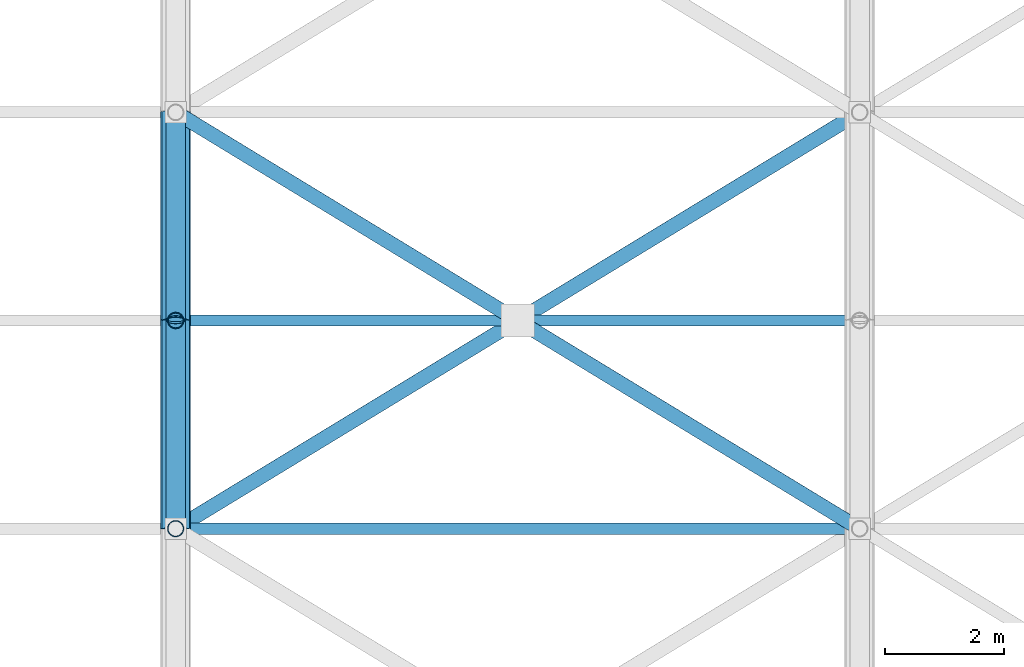
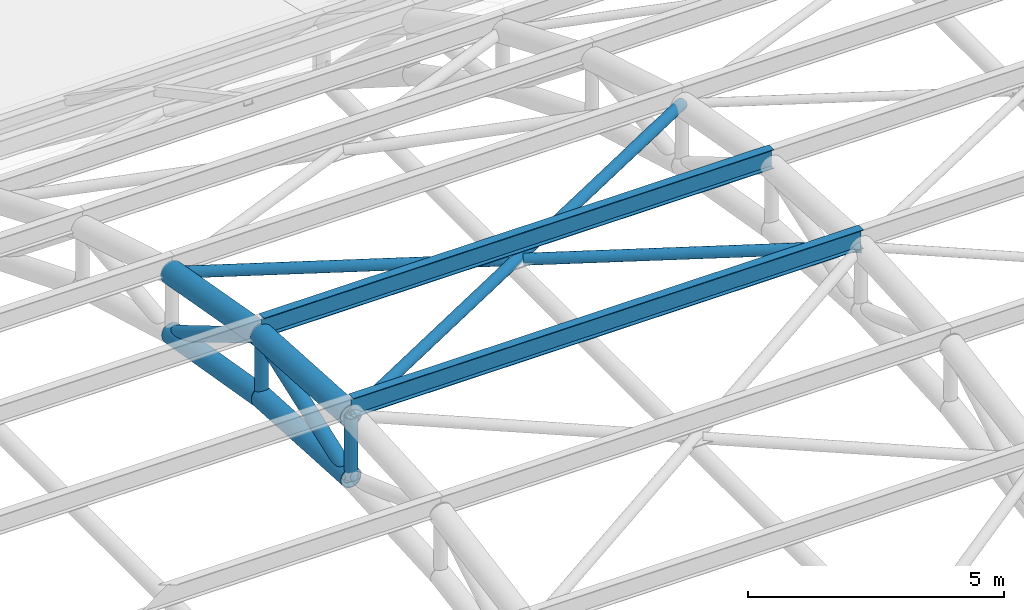
# One storey, part 106 of 154: 13 members.
"""IFC4 building model written with IfcOpenShell, lengths in metres."""

from ifc_helpers import new_model, si_unit, direction, frame, origin, origin_2d, place, context, subcontext, project, spatial, hollow_circle, i_section, extrude, material, material_profile, profile_set, type_object, element, save


model = new_model("IFC4")

# Units and contexts
model_context = context("Model", 3, precision=1e-05, world=origin(), true_north=direction((0.0, 1.0)))
body_context = subcontext(model_context, "Body", "Model", "MODEL_VIEW")
ifc_project = project(units=[si_unit("LENGTHUNIT", "METRE"), si_unit("AREAUNIT", "SQUARE_METRE"), si_unit("VOLUMEUNIT", "CUBIC_METRE"), si_unit("PLANEANGLEUNIT", "RADIAN"), si_unit("MASSUNIT", "GRAM", prefix="KILO")], contexts=[model_context])

# Site, building, storey
site_placement = place(None, origin())
site = spatial("IfcSite", under=ifc_project, at=site_placement, CompositionType="ELEMENT")
building_placement = place(site_placement, origin())
building = spatial("IfcBuilding", under=site, at=building_placement, Name="Ologun Quay Terminus", CompositionType="ELEMENT")
storey_placement = place(building_placement, frame((0.0, 0.0, 13.800048828125)))
storey = spatial("IfcBuildingStorey", under=building, at=storey_placement, Name="L03", CompositionType="ELEMENT", Elevation=13.800048828125)

# Members
ifc_material_1 = material(Name="Steel S355", Category="steel")
ifc_material_profile_1 = material_profile(ifc_material_1, hollow_circle(Radius=0.136474609375, WallThickness=0.010009765625, at=origin_2d()), Name="CHS 273x10")
ifc_profile_set_1 = profile_set([ifc_material_profile_1], Name="Steel S355")
member_type_1 = type_object("IfcMemberType", Name="Arch Truss Vertical Post CHS273", PredefinedType="STRUT", material=ifc_profile_set_1)
member_1_placement = place(storey_placement, frame((161.0, 57.0, 7.239990234375), z_axis=(0.0, 0.0, 1.0), x_axis=(1.0, 0.0, 0.0)))
element("IfcMember", 1, at=member_1_placement, inside=storey, type_object=member_type_1, Name="AW2 Arch Web Post 15-N6", PredefinedType="STRUT", context=body_context, shape_type="SweptSolid", body=[
    extrude(hollow_circle(Radius=0.136474609375, WallThickness=0.010009765625, at=origin_2d()), origin(), (0.0, 0.0, 1.0), 1.47998046875),
])
member_2_placement = place(storey_placement, frame((161.0, 60.5, 7.038818359375), z_axis=(0.0, 0.0, 1.0), x_axis=(1.0, 0.0, 0.0)))
element("IfcMember", 2, at=member_2_placement, inside=storey, type_object=member_type_1, Name="AW2 Arch Web Post 15-N7", PredefinedType="STRUT", context=body_context, shape_type="SweptSolid", body=[
    extrude(hollow_circle(Radius=0.136474609375, WallThickness=0.010009765625, at=origin_2d()), origin(), (0.0, 0.0, 1.0), 1.47216796875),
])
ifc_material_2 = material(Name="Steel S355", Category="steel")
ifc_material_profile_2 = material_profile(ifc_material_2, hollow_circle(Radius=0.161865234375, WallThickness=0.010009765625, at=origin_2d()), Name="CHS 323.9x10")
ifc_profile_set_2 = profile_set([ifc_material_profile_2], Name="Steel S355")
member_type_2 = type_object("IfcMemberType", Name="Arch Truss Web Diagonal CHS323", PredefinedType="BRACE", material=ifc_profile_set_2)
member_3_placement = place(storey_placement, frame((161.0, 57.0, 7.239990234375), z_axis=(0.0, 0.939942650142, 0.34133241048), x_axis=(-1.0, 0.0, 0.0)))
element("IfcMember", 3, at=member_3_placement, inside=storey, type_object=member_type_2, Name="AW1 Arch Web Diagonal 15-P7", PredefinedType="BRACE", context=body_context, shape_type="SweptSolid", body=[
    extrude(hollow_circle(Radius=0.161865234375, WallThickness=0.010009765625, at=origin_2d()), origin(), (0.0, 0.0, 1.0), 3.7236328125),
])
member_4_placement = place(storey_placement, frame((161.0, 60.5, 8.510986328125), z_axis=(0.0, 0.860144332958, -0.510050709715), x_axis=(-1.0, 0.0, 0.0)))
element("IfcMember", 4, at=member_4_placement, inside=storey, type_object=member_type_2, Name="AW1 Arch Web Diagonal 15-P8", PredefinedType="BRACE", context=body_context, shape_type="SweptSolid", body=[
    extrude(hollow_circle(Radius=0.161865234375, WallThickness=0.010009765625, at=origin_2d()), origin(), (0.0, 0.0, 1.0), 4.069091796875),
])
ifc_material_3 = material(Name="Steel S355", Category="steel")
ifc_material_profile_3 = material_profile(ifc_material_3, hollow_circle(Radius=0.228515625, WallThickness=0.01611328125, at=origin_2d()), Name="CHS 457x16")
ifc_profile_set_3 = profile_set([ifc_material_profile_3], Name="Steel S355")
member_type_3 = type_object("IfcMemberType", Name="Parabolic Arch Bottom Chord CHS457", PredefinedType="CHORD", material=ifc_profile_set_3)
member_5_placement = place(storey_placement, frame((161.0, 57.0, 7.239990234375), z_axis=(0.0, 0.998352239869, -0.057382969144), x_axis=(-1.0, 0.0, 0.0)))
element("IfcMember", 5, at=member_5_placement, inside=storey, type_object=member_type_3, Name="AC2 Arch Bottom Chord 15-P7", PredefinedType="CHORD", context=body_context, shape_type="SweptSolid", body=[
    extrude(hollow_circle(Radius=0.228515625, WallThickness=0.01611328125, at=origin_2d()), origin(), (0.0, 0.0, 1.0), 3.505859375),
])
member_6_placement = place(storey_placement, frame((161.0, 60.5, 7.038818359375), z_axis=(0.0, 0.985468449185, -0.16985857547), x_axis=(-1.0, 0.0, 0.0)))
element("IfcMember", 6, at=member_6_placement, inside=storey, type_object=member_type_3, Name="AC2 Arch Bottom Chord 15-P8", PredefinedType="CHORD", context=body_context, shape_type="SweptSolid", body=[
    extrude(hollow_circle(Radius=0.228515625, WallThickness=0.01611328125, at=origin_2d()), origin(), (0.0, 0.0, 1.0), 3.551513671875),
])
ifc_material_4 = material(Name="Steel S355", Category="steel")
ifc_material_profile_4 = material_profile(ifc_material_4, hollow_circle(Radius=0.25390625, WallThickness=0.01611328125, at=origin_2d()), Name="CHS 508x16")
ifc_profile_set_4 = profile_set([ifc_material_profile_4], Name="Steel S355")
member_type_4 = type_object("IfcMemberType", Name="Parabolic Arch Top Chord CHS508", PredefinedType="CHORD", material=ifc_profile_set_4)
member_7_placement = place(storey_placement, frame((161.0, 57.0, 8.719970703125), z_axis=(0.0, 0.998222121157, -0.0596036646), x_axis=(-1.0, 0.0, 0.0)))
element("IfcMember", 7, at=member_7_placement, inside=storey, type_object=member_type_4, Name="Arch Top Chord 15-P7", PredefinedType="CHORD", context=body_context, shape_type="SweptSolid", body=[
    extrude(hollow_circle(Radius=0.25390625, WallThickness=0.01611328125, at=origin_2d()), origin(), (0.0, 0.0, 1.0), 3.50634765625),
])
member_8_placement = place(storey_placement, frame((161.0, 60.5, 8.510986328125), z_axis=(0.0, 0.984344289591, -0.176256402859), x_axis=(-1.0, 0.0, 0.0)))
element("IfcMember", 8, at=member_8_placement, inside=storey, type_object=member_type_4, Name="Arch Top Chord 15-P8", PredefinedType="CHORD", context=body_context, shape_type="SweptSolid", body=[
    extrude(hollow_circle(Radius=0.25390625, WallThickness=0.01611328125, at=origin_2d()), origin(), (0.0, 0.0, 1.0), 3.5556640625),
])
ifc_material_5 = material(Name="Steel S355", Category="steel")
ifc_material_profile_5 = material_profile(ifc_material_5, hollow_circle(Radius=0.122314453125, WallThickness=0.008056640625, at=origin_2d()), Name="CHS 244.5x8")
ifc_profile_set_5 = profile_set([ifc_material_profile_5], Name="Steel S355")
member_type_5 = type_object("IfcMemberType", Name="Roof Plan Wind Brace Primary CHS244", PredefinedType="BRACE", material=ifc_profile_set_5)
member_9_placement = place(storey_placement, frame((161.0, 57.0, 8.719970703125), z_axis=(0.852557618704, 0.518948115733, -0.061954499168), x_axis=(-0.519946946896, 0.854198555614, 0.0)))
element("IfcMember", 9, at=member_9_placement, inside=storey, type_object=member_type_5, Name="Roof Wind Brace A B15-K6", PredefinedType="BRACE", context=body_context, shape_type="SweptSolid", body=[
    extrude(hollow_circle(Radius=0.122314453125, WallThickness=0.008056640625, at=origin_2d()), origin(), (0.0, 0.0, 1.0), 13.48876953125),
])
for number, where, z_axis, x_axis, name in (
    (10, (161.0, 64.0, 7.88427734375), (0.852563238847, -0.518938678703, 0.061956206405), (0.51993754691, 0.854204277274, 0.0), "Roof Wind Brace B1 B15-K6"),
    (11, (166.869384765625, 60.42724609375, 8.310791015625), (0.852563238847, -0.518938678703, 0.061956206405), (0.51993754691, 0.854204277274, 0.0), "Roof Wind Brace B2 B15-K6"),
):
    element("IfcMember", number, at=place(storey_placement, frame(where, z_axis=z_axis, x_axis=x_axis)), inside=storey, type_object=member_type_5, Name=name, PredefinedType="BRACE", context=body_context, shape_type="SweptSolid", body=[
        extrude(hollow_circle(Radius=0.122314453125, WallThickness=0.008056640625, at=origin_2d()), origin(), (0.0, 0.0, 1.0), 6.604248046875),
    ])
ifc_material_6 = material(Name="Steel S355", Category="steel")
ifc_material_profile_6 = material_profile(ifc_material_6, i_section(OverallWidth=0.1904296875, OverallDepth=0.45703125, WebThickness=0.009033203125, FlangeThickness=0.014404296875, at=origin_2d()), Name="UKB 457x191x74")
ifc_profile_set_6 = profile_set([ifc_material_profile_6], Name="Steel S355")
member_type_6 = type_object("IfcMemberType", Name="Train Shed Primary Roof Purlin UKB457", PredefinedType="PURLIN", material=ifc_profile_set_6)
for number, where, z_axis, x_axis, name in (
    (12, (161.0, 57.0, 8.948486328125), (1.0, 0.0, 0.0), (0.0, 1.0, 0.0), "PR1 Roof Purlin B15-N6"),
    (13, (161.0, 60.5, 8.739501953125), (1.0, 0.0, 0.0), (0.0, 1.0, 0.0), "PR1 Roof Purlin B15-N7"),
):
    element("IfcMember", number, at=place(storey_placement, frame(where, z_axis=z_axis, x_axis=x_axis)), inside=storey, type_object=member_type_6, Name=name, PredefinedType="PURLIN", context=body_context, shape_type="SweptSolid", body=[
        extrude(i_section(OverallWidth=0.1904296875, OverallDepth=0.45703125, WebThickness=0.009033203125, FlangeThickness=0.014404296875, at=origin_2d()), origin(), (0.0, 0.0, 1.0), 11.5),
    ])

save(model, "model.ifc")
